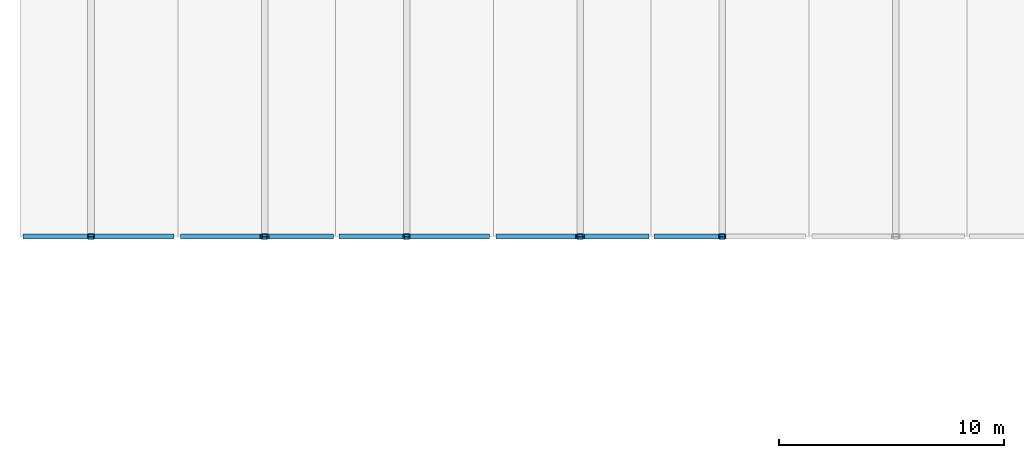
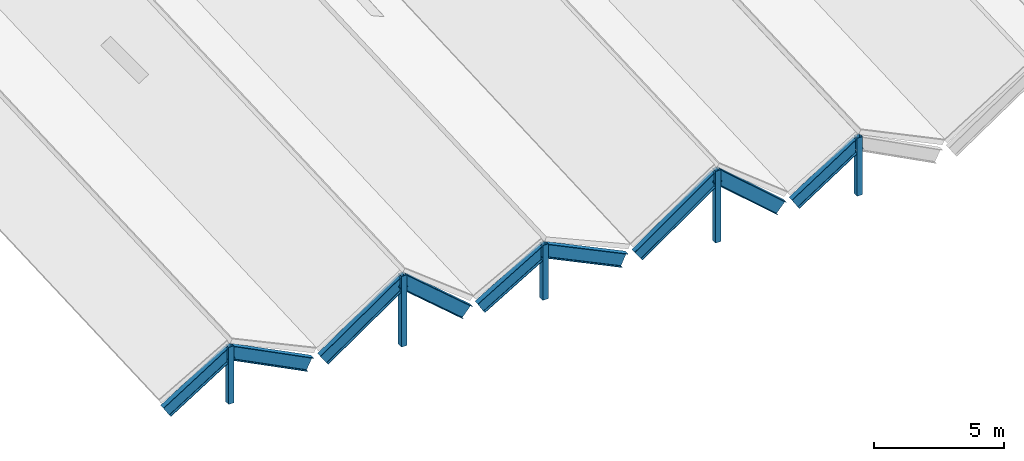
# One storey, part 6 of 127: 9 beams, 5 members.
"""IFC4 building model written with IfcOpenShell, lengths in metres."""

from ifc_helpers import new_model, si_unit, direction, frame, origin, origin_2d, place, context, subcontext, project, spatial, hollow_rectangle, i_section, extrude, material, material_profile, profile_set, type_object, element, save


model = new_model("IFC4")

# Units and contexts
model_context = context("Model", 3, precision=1e-05, world=origin(), true_north=direction((0.0, 1.0)))
body_context = subcontext(model_context, "Body", "Model", "MODEL_VIEW")
ifc_project = project(units=[si_unit("LENGTHUNIT", "METRE"), si_unit("AREAUNIT", "SQUARE_METRE"), si_unit("VOLUMEUNIT", "CUBIC_METRE"), si_unit("PLANEANGLEUNIT", "RADIAN"), si_unit("MASSUNIT", "GRAM", prefix="KILO")], contexts=[model_context])

# Site, building, storey
site_placement = place(None, origin())
site = spatial("IfcSite", under=ifc_project, at=site_placement, CompositionType="ELEMENT")
building_placement = place(site_placement, origin())
building = spatial("IfcBuilding", under=site, at=building_placement, Name="Kestramere Prow Commons", CompositionType="ELEMENT")
storey_placement = place(building_placement, frame((0.0, 0.0, 8.39990234375)))
storey = spatial("IfcBuildingStorey", under=building, at=storey_placement, Name="L02", CompositionType="ELEMENT", Elevation=8.39990234375)

# Beams
ifc_material = material(Name="Steel S355JR", Category="steel")
ifc_material_profile_1 = material_profile(ifc_material, i_section(OverallWidth=0.22900390625, OverallDepth=0.6123046875, WebThickness=0.011962890625, FlangeThickness=0.01953125, FilletRadius=0.0126953125, at=origin_2d()), Name="UB 610x229x125")
ifc_profile_set_1 = profile_set([ifc_material_profile_1], Name="Steel S355JR")
beam_type = type_object("IfcBeamType", Name="BM-FP-GAB UB 610x229x125", PredefinedType="BEAM", material=ifc_profile_set_1)
beam_1_placement = place(storey_placement, frame((2.5, 7.5, -0.55859375), z_axis=(0.845490624019, 0.0, 0.53399026648), x_axis=(0.0, 1.0, 0.0)))
element("IfcBeam", 1, at=beam_1_placement, inside=storey, type_object=beam_type, Name="Hall Gable Fold Rafter 1SL", PredefinedType="BEAM", context=body_context, shape_type="SweptSolid", body=[
    extrude(i_section(OverallWidth=0.22900390625, OverallDepth=0.6123046875, WebThickness=0.011962890625, FlangeThickness=0.01953125, FilletRadius=0.0126953125, at=origin_2d()), origin(), (0.0, 0.0, 1.0), 3.370849609375),
])
beam_2_placement = place(storey_placement, frame((5.35009765625, 7.5, 1.241455078125), z_axis=(0.891885695606, 0.0, -0.452260882648), x_axis=(0.0, 1.0, 0.0)))
element("IfcBeam", 2, at=beam_2_placement, inside=storey, type_object=beam_type, Name="Hall Gable Fold Rafter 1SR", PredefinedType="BEAM", context=body_context, shape_type="SweptSolid", body=[
    extrude(i_section(OverallWidth=0.22900390625, OverallDepth=0.6123046875, WebThickness=0.011962890625, FlangeThickness=0.01953125, FilletRadius=0.0126953125, at=origin_2d()), origin(), (0.0, 0.0, 1.0), 3.980224609375),
])
beam_3_placement = place(storey_placement, frame((9.5, 7.5, -0.55859375), z_axis=(0.823008410086, 0.0, 0.568029186687), x_axis=(0.0, 1.0, 0.0)))
element("IfcBeam", 3, at=beam_3_placement, inside=storey, type_object=beam_type, Name="Hall Gable Fold Rafter 2SL", PredefinedType="BEAM", context=body_context, shape_type="SweptSolid", body=[
    extrude(i_section(OverallWidth=0.22900390625, OverallDepth=0.6123046875, WebThickness=0.011962890625, FlangeThickness=0.01953125, FilletRadius=0.0126953125, at=origin_2d()), origin(), (0.0, 0.0, 1.0), 4.3134765625),
])
beam_4_placement = place(storey_placement, frame((13.050048828125, 7.5, 1.8916015625), z_axis=(0.758274465836, 0.0, -0.65193545268), x_axis=(0.0, 1.0, 0.0)))
element("IfcBeam", 4, at=beam_4_placement, inside=storey, type_object=beam_type, Name="Hall Gable Fold Rafter 2SR", PredefinedType="BEAM", context=body_context, shape_type="SweptSolid", body=[
    extrude(i_section(OverallWidth=0.22900390625, OverallDepth=0.6123046875, WebThickness=0.011962890625, FlangeThickness=0.01953125, FilletRadius=0.0126953125, at=origin_2d()), origin(), (0.0, 0.0, 1.0), 3.75830078125),
])
beam_5_placement = place(storey_placement, frame((16.5, 7.5, -0.55859375), z_axis=(0.858801334381, 0.0, 0.512308762432), x_axis=(0.0, 1.0, 0.0)))
element("IfcBeam", 5, at=beam_5_placement, inside=storey, type_object=beam_type, Name="Hall Gable Fold Rafter 3SL", PredefinedType="BEAM", context=body_context, shape_type="SweptSolid", body=[
    extrude(i_section(OverallWidth=0.22900390625, OverallDepth=0.6123046875, WebThickness=0.011962890625, FlangeThickness=0.01953125, FilletRadius=0.0126953125, at=origin_2d()), origin(), (0.0, 0.0, 1.0), 3.318603515625),
])
beam_6_placement = place(storey_placement, frame((19.35009765625, 7.5, 1.1416015625), z_axis=(0.901890545531, 0.0, -0.431964632674), x_axis=(0.0, 1.0, 0.0)))
element("IfcBeam", 6, at=beam_6_placement, inside=storey, type_object=beam_type, Name="Hall Gable Fold Rafter 3SR", PredefinedType="BEAM", context=body_context, shape_type="SweptSolid", body=[
    extrude(i_section(OverallWidth=0.22900390625, OverallDepth=0.6123046875, WebThickness=0.011962890625, FlangeThickness=0.01953125, FilletRadius=0.0126953125, at=origin_2d()), origin(), (0.0, 0.0, 1.0), 3.93603515625),
])
beam_7_placement = place(storey_placement, frame((23.5, 7.5, -0.55859375), z_axis=(0.81760936752, 0.0, 0.575773325315), x_axis=(0.0, 1.0, 0.0)))
element("IfcBeam", 7, at=beam_7_placement, inside=storey, type_object=beam_type, Name="Hall Gable Fold Rafter 4SL", PredefinedType="BEAM", context=body_context, shape_type="SweptSolid", body=[
    extrude(i_section(OverallWidth=0.22900390625, OverallDepth=0.6123046875, WebThickness=0.011962890625, FlangeThickness=0.01953125, FilletRadius=0.0126953125, at=origin_2d()), origin(), (0.0, 0.0, 1.0), 4.342041015625),
])
beam_8_placement = place(storey_placement, frame((27.050048828125, 7.5, 1.94140625), z_axis=(0.75174230968, 0.0, -0.659456973454), x_axis=(0.0, 1.0, 0.0)))
element("IfcBeam", 8, at=beam_8_placement, inside=storey, type_object=beam_type, Name="Hall Gable Fold Rafter 4SR", PredefinedType="BEAM", context=body_context, shape_type="SweptSolid", body=[
    extrude(i_section(OverallWidth=0.22900390625, OverallDepth=0.6123046875, WebThickness=0.011962890625, FlangeThickness=0.01953125, FilletRadius=0.0126953125, at=origin_2d()), origin(), (0.0, 0.0, 1.0), 3.791015625),
])
beam_9_placement = place(storey_placement, frame((30.5, 7.5, -0.55859375), z_axis=(0.838775056332, 0.0, 0.544478103211), x_axis=(0.0, 1.0, 0.0)))
element("IfcBeam", 9, at=beam_9_placement, inside=storey, type_object=beam_type, Name="Hall Gable Fold Rafter 5SL", PredefinedType="BEAM", context=body_context, shape_type="SweptSolid", body=[
    extrude(i_section(OverallWidth=0.22900390625, OverallDepth=0.6123046875, WebThickness=0.011962890625, FlangeThickness=0.01953125, FilletRadius=0.0126953125, at=origin_2d()), origin(), (0.0, 0.0, 1.0), 3.39794921875),
])

# Members
ifc_material_profile_2 = material_profile(ifc_material, hollow_rectangle(XDim=0.25, YDim=0.25, WallThickness=0.012451171875, at=origin_2d()), Name="SHS 250x250x12.5")
ifc_profile_set_2 = profile_set([ifc_material_profile_2], Name="Steel S355JR")
member_type = type_object("IfcMemberType", Name="BRAPX-01 SHS 250x250x12.5", PredefinedType="BRACE", material=ifc_profile_set_2)
member_1_placement = place(storey_placement, frame((5.35009765625, 7.5, -1.131103515625), z_axis=(0.0, 0.0, 1.0), x_axis=(1.0, 0.0, 0.0)))
element("IfcMember", 10, at=member_1_placement, inside=storey, type_object=member_type, Name="Hall Gable King-Post Diagonal Brace 1S", PredefinedType="BRACE", context=body_context, shape_type="SweptSolid", body=[
    extrude(hollow_rectangle(XDim=0.25, YDim=0.25, WallThickness=0.012451171875, at=origin_2d()), origin(), (0.0, 0.0, 1.0), 2.6787109375),
])
member_2_placement = place(storey_placement, frame((13.050048828125, 7.5, -1.131103515625), z_axis=(0.0, 0.0, 1.0), x_axis=(1.0, 0.0, 0.0)))
element("IfcMember", 11, at=member_2_placement, inside=storey, type_object=member_type, Name="Hall Gable King-Post Diagonal Brace 2S", PredefinedType="BRACE", context=body_context, shape_type="SweptSolid", body=[
    extrude(hollow_rectangle(XDim=0.25, YDim=0.25, WallThickness=0.012451171875, at=origin_2d()), origin(), (0.0, 0.0, 1.0), 3.32861328125),
])
member_3_placement = place(storey_placement, frame((19.35009765625, 7.5, -1.131103515625), z_axis=(0.0, 0.0, 1.0), x_axis=(1.0, 0.0, 0.0)))
element("IfcMember", 12, at=member_3_placement, inside=storey, type_object=member_type, Name="Hall Gable King-Post Diagonal Brace 3S", PredefinedType="BRACE", context=body_context, shape_type="SweptSolid", body=[
    extrude(hollow_rectangle(XDim=0.25, YDim=0.25, WallThickness=0.012451171875, at=origin_2d()), origin(), (0.0, 0.0, 1.0), 2.57861328125),
])
member_4_placement = place(storey_placement, frame((27.050048828125, 7.5, -1.131103515625), z_axis=(0.0, 0.0, 1.0), x_axis=(1.0, 0.0, 0.0)))
element("IfcMember", 13, at=member_4_placement, inside=storey, type_object=member_type, Name="Hall Gable King-Post Diagonal Brace 4S", PredefinedType="BRACE", context=body_context, shape_type="SweptSolid", body=[
    extrude(hollow_rectangle(XDim=0.25, YDim=0.25, WallThickness=0.012451171875, at=origin_2d()), origin(), (0.0, 0.0, 1.0), 3.378662109375),
])
member_5_placement = place(storey_placement, frame((33.35009765625, 7.5, -1.131103515625), z_axis=(0.0, 0.0, 1.0), x_axis=(1.0, 0.0, 0.0)))
element("IfcMember", 14, at=member_5_placement, inside=storey, type_object=member_type, Name="Hall Gable King-Post Diagonal Brace 5S", PredefinedType="BRACE", context=body_context, shape_type="SweptSolid", body=[
    extrude(hollow_rectangle(XDim=0.25, YDim=0.25, WallThickness=0.012451171875, at=origin_2d()), origin(), (0.0, 0.0, 1.0), 2.728759765625),
])

save(model, "model.ifc")
